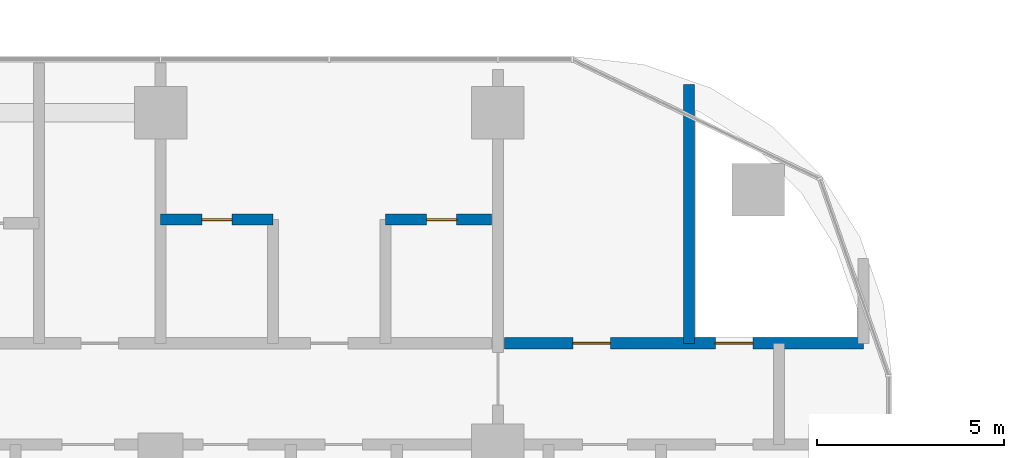
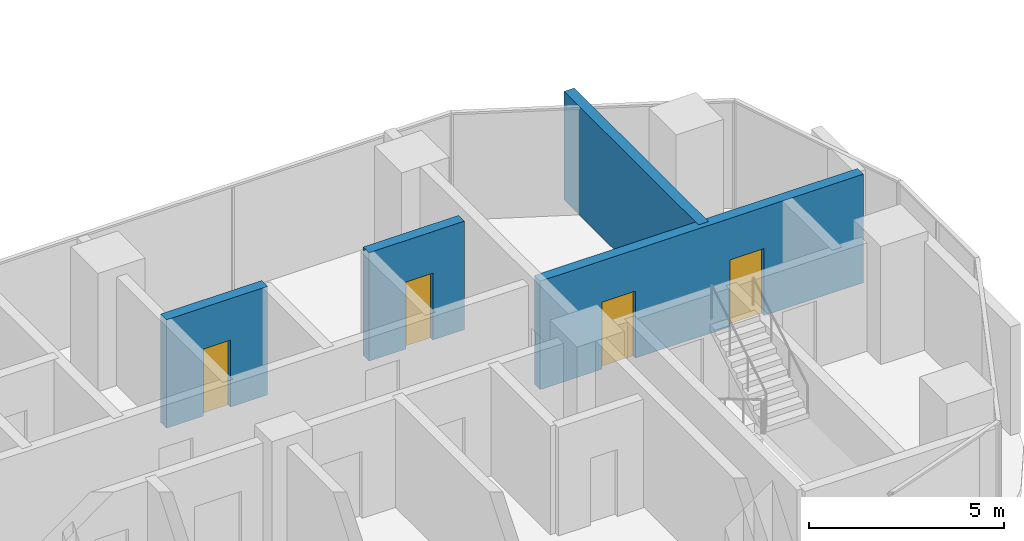
# One storey, part 19 of 33: 4 doors, 4 walls, 4 openings.
"""IFC4 building model written with IfcOpenShell, lengths in metres."""

from ifc_helpers import new_model, si_unit, direction, frame, frame_2d, origin, place, context, subcontext, project, spatial, rectangle, extrude, material, layer, layer_set, type_object, element, fill, save


model = new_model("IFC4")

# Units and contexts
model_context = context("Model", 3, precision=1e-05, world=origin(), true_north=direction((0.0, 1.0)))
body_context = subcontext(model_context, "Body", "Model", "MODEL_VIEW")
ifc_project = project(units=[si_unit("LENGTHUNIT", "METRE"), si_unit("AREAUNIT", "SQUARE_METRE"), si_unit("VOLUMEUNIT", "CUBIC_METRE"), si_unit("PLANEANGLEUNIT", "RADIAN"), si_unit("MASSUNIT", "GRAM", prefix="KILO")], contexts=[model_context])

# Site, building, storey
site_placement = place(None, origin())
site = spatial("IfcSite", under=ifc_project, at=site_placement, CompositionType="ELEMENT")
building_placement = place(site_placement, origin())
building = spatial("IfcBuilding", under=site, at=building_placement, Name="Ogive Portal Towers", CompositionType="ELEMENT")
storey_placement = place(building_placement, frame((0.0, 0.0, 77.89990234375)))
storey = spatial("IfcBuildingStorey", under=building, at=storey_placement, Name="L18", CompositionType="ELEMENT", Elevation=77.89990234375)

# Wall, openings, doors
ifc_material_1 = material(Name="Gypsum board partition on steel studs", Category="steel")
ifc_layer_1 = layer(ifc_material_1, 0.300048828125)
ifc_layer_set_1 = layer_set([ifc_layer_1], Name="WT-PART-300-EI 120")
wall_type_1 = type_object("IfcWallType", Name="WT-PART-300-EI 120", PredefinedType="PARTITIONING", material=ifc_layer_set_1)
wall_1_placement = place(storey_placement, frame((85.669921875, 33.35009765625, 0.0), z_axis=(0.0, 0.0, 1.0), x_axis=(1.0, 0.0, 0.0)))
wall_1 = element("IfcWall", 1, at=wall_1_placement, inside=storey, type_object=wall_type_1, Name="Wall L18:w007", PredefinedType="PARTITIONING", context=body_context, shape_type="SweptSolid", body=[
    extrude(rectangle(XDim=9.580078125, YDim=0.300048828125, at=frame_2d((4.7900390625, 0.0))), origin(), (0.0, 0.0, 1.0), 3.400146484375),
])
opening_1_placement = place(wall_1_placement, frame((1.830078125, 0.0, 0.0)))
opening_1 = element("IfcOpeningElement", 2, at=opening_1_placement, cuts=wall_1, Name="Opening D05-062", PredefinedType="OPENING", context=body_context, shape_type="SweptSolid", body=[
    extrude(rectangle(XDim=1.0, YDim=2.10009765625, at=frame_2d((0.5, 1.050048828125))), frame((0.0, 0.16015625, 0.0), z_axis=(0.0, -1.0, 0.0), x_axis=(1.0, 0.0, 0.0)), (0.0, 0.0, 1.0), 0.320068359375),
])
opening_2_placement = place(wall_1_placement, frame((5.6298828125, 0.0, 0.0)))
opening_2 = element("IfcOpeningElement", 3, at=opening_2_placement, cuts=wall_1, Name="Opening D05-063", PredefinedType="OPENING", context=body_context, shape_type="SweptSolid", body=[
    extrude(rectangle(XDim=1.0, YDim=2.10009765625, at=frame_2d((0.5, 1.050048828125))), frame((0.0, 0.16015625, 0.0), z_axis=(0.0, -1.0, 0.0), x_axis=(1.0, 0.0, 0.0)), (0.0, 0.0, 1.0), 0.320068359375),
])
ifc_material_2 = material(Name="Steel fire door", Category="steel")
door_type_1 = type_object("IfcDoorType", Name="DT-SERVICE-1000x2100-FD90S", OperationType="SINGLE_SWING_LEFT", PredefinedType="DOOR", material=ifc_material_2)
door_1_placement = place(opening_1_placement, origin())
door_1 = element("IfcDoor", 4, at=door_1_placement, inside=storey, type_object=door_type_1, Name="Door D05-062", OperationType="SINGLE_SWING_LEFT", OverallHeight=2.10009765625, OverallWidth=1.0, PredefinedType="DOOR", context=body_context, shape_type="SweptSolid", body=[
    extrude(rectangle(XDim=1.0, YDim=2.10009765625, at=frame_2d((0.5, 1.050048828125))), frame((0.0, 0.02490234375, 0.0), z_axis=(0.0, -1.0, 0.0), x_axis=(1.0, 0.0, 0.0)), (0.0, 0.0, 1.0), 0.050048828125),
])
fill(opening_1, door_1)
door_2_placement = place(opening_2_placement, origin())
door_2 = element("IfcDoor", 5, at=door_2_placement, inside=storey, type_object=door_type_1, Name="Riser access door D05-063", OperationType="SINGLE_SWING_RIGHT", OverallHeight=2.10009765625, OverallWidth=1.0, PredefinedType="DOOR", context=body_context, shape_type="SweptSolid", body=[
    extrude(rectangle(XDim=1.0, YDim=2.10009765625, at=frame_2d((0.5, 1.050048828125))), frame((0.0, 0.02490234375, 0.0), z_axis=(0.0, -1.0, 0.0), x_axis=(1.0, 0.0, 0.0)), (0.0, 0.0, 1.0), 0.050048828125),
])
fill(opening_2, door_2)

# Wall, opening, door
ifc_layer_2 = layer(ifc_material_1, 0.300048828125)
ifc_layer_set_2 = layer_set([ifc_layer_2], Name="WT-PART-300-EI 60")
wall_type_2 = type_object("IfcWallType", Name="WT-PART-300-EI 60", PredefinedType="PARTITIONING", material=ifc_layer_set_2)
wall_2_placement = place(storey_placement, frame((76.5, 36.64990234375, 0.0), z_axis=(0.0, 0.0, 1.0), x_axis=(1.0, 0.0, 0.0)))
wall_2 = element("IfcWall", 6, at=wall_2_placement, inside=storey, type_object=wall_type_2, Name="Wall L18:w010", PredefinedType="PARTITIONING", context=body_context, shape_type="SweptSolid", body=[
    extrude(rectangle(XDim=3.0, YDim=0.300048828125, at=frame_2d((1.5, 0.0))), origin(), (0.0, 0.0, 1.0), 3.400146484375),
])
opening_3_placement = place(wall_2_placement, frame((1.10009765625, 0.0, 0.0)))
opening_3 = element("IfcOpeningElement", 7, at=opening_3_placement, cuts=wall_2, Name="Opening D05-038", PredefinedType="OPENING", context=body_context, shape_type="SweptSolid", body=[
    extrude(rectangle(XDim=0.800048828125, YDim=2.10009765625, at=frame_2d((0.39990234375, 1.050048828125))), frame((0.0, 0.16015625, 0.0), z_axis=(0.0, -1.0, 0.0), x_axis=(1.0, 0.0, 0.0)), (0.0, 0.0, 1.0), 0.320068359375),
])
door_type_2 = type_object("IfcDoorType", Name="DT-BATH-800x2100-FD60S", OperationType="SINGLE_SWING_LEFT", PredefinedType="DOOR", material=ifc_material_2)
door_3_placement = place(opening_3_placement, origin())
door_3 = element("IfcDoor", 8, at=door_3_placement, inside=storey, type_object=door_type_2, Name="Door D05-038", OperationType="SINGLE_SWING_LEFT", OverallHeight=2.10009765625, OverallWidth=0.800048828125, PredefinedType="DOOR", context=body_context, shape_type="SweptSolid", body=[
    extrude(rectangle(XDim=0.800048828125, YDim=2.10009765625, at=frame_2d((0.39990234375, 1.050048828125))), frame((0.0, 0.02490234375, 0.0), z_axis=(0.0, -1.0, 0.0), x_axis=(1.0, 0.0, 0.0)), (0.0, 0.0, 1.0), 0.050048828125),
])
fill(opening_3, door_3)

wall_3_placement = place(storey_placement, frame((82.5, 36.64990234375, 0.0), z_axis=(0.0, 0.0, 1.0), x_axis=(1.0, 0.0, 0.0)))
wall_3 = element("IfcWall", 9, at=wall_3_placement, inside=storey, type_object=wall_type_2, Name="Wall L18:w011", PredefinedType="PARTITIONING", context=body_context, shape_type="SweptSolid", body=[
    extrude(rectangle(XDim=2.830078125, YDim=0.300048828125, at=frame_2d((1.4150390625, 0.0))), origin(), (0.0, 0.0, 1.0), 3.400146484375),
])
opening_4_placement = place(wall_3_placement, frame((1.10009765625, 0.0, 0.0)))
opening_4 = element("IfcOpeningElement", 10, at=opening_4_placement, cuts=wall_3, Name="Opening D05-039", PredefinedType="OPENING", context=body_context, shape_type="SweptSolid", body=[
    extrude(rectangle(XDim=0.800048828125, YDim=2.10009765625, at=frame_2d((0.39990234375, 1.050048828125))), frame((0.0, 0.16015625, 0.0), z_axis=(0.0, -1.0, 0.0), x_axis=(1.0, 0.0, 0.0)), (0.0, 0.0, 1.0), 0.320068359375),
])
door_4_placement = place(opening_4_placement, origin())
door_4 = element("IfcDoor", 11, at=door_4_placement, inside=storey, type_object=door_type_2, Name="Door D05-039", OperationType="SINGLE_SWING_RIGHT", OverallHeight=2.10009765625, OverallWidth=0.800048828125, PredefinedType="DOOR", context=body_context, shape_type="SweptSolid", body=[
    extrude(rectangle(XDim=0.800048828125, YDim=2.10009765625, at=frame_2d((0.39990234375, 1.050048828125))), frame((0.0, 0.02490234375, 0.0), z_axis=(0.0, -1.0, 0.0), x_axis=(1.0, 0.0, 0.0)), (0.0, 0.0, 1.0), 0.050048828125),
])
fill(opening_4, door_4)

# Wall
wall_4_placement = place(storey_placement, frame((90.60009765625, 33.35009765625, 0.0), z_axis=(0.0, 0.0, 1.0), x_axis=(0.0, 1.0, 0.0)))
element("IfcWall", 12, at=wall_4_placement, inside=storey, type_object=wall_type_2, Name="Wall L18:w063", PredefinedType="PARTITIONING", context=body_context, shape_type="SweptSolid", body=[
    extrude(rectangle(XDim=6.89794921875, YDim=0.300048828125, at=frame_2d((3.448974609375, 0.0))), origin(), (0.0, 0.0, 1.0), 3.400146484375),
])

save(model, "model.ifc")
